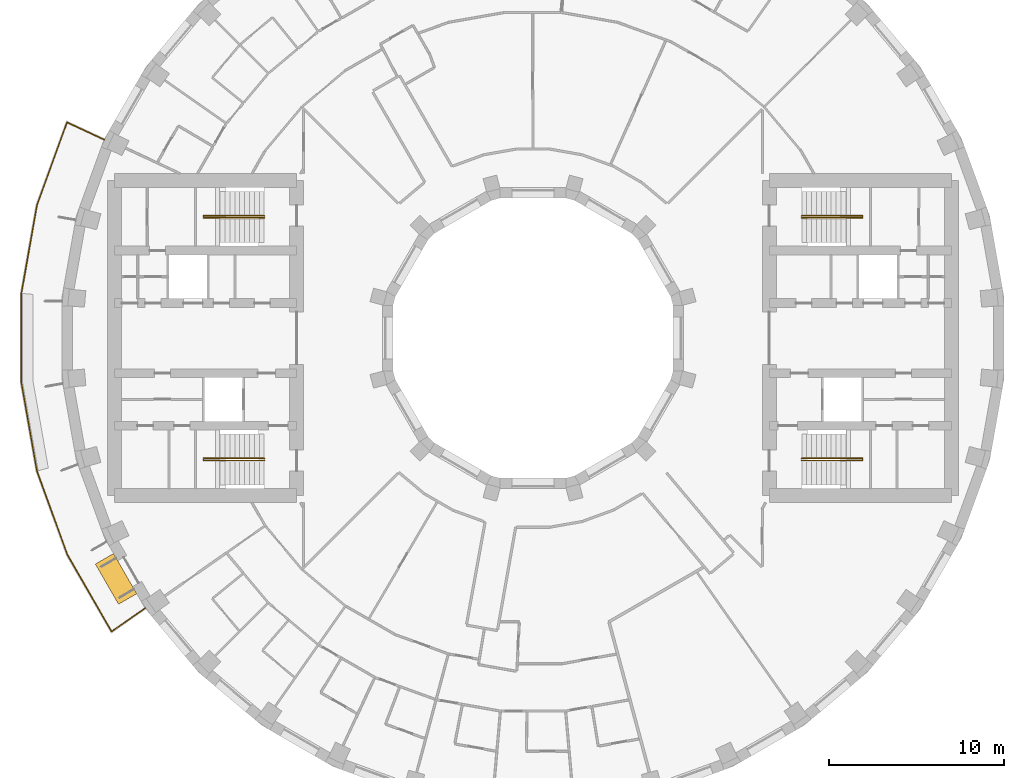
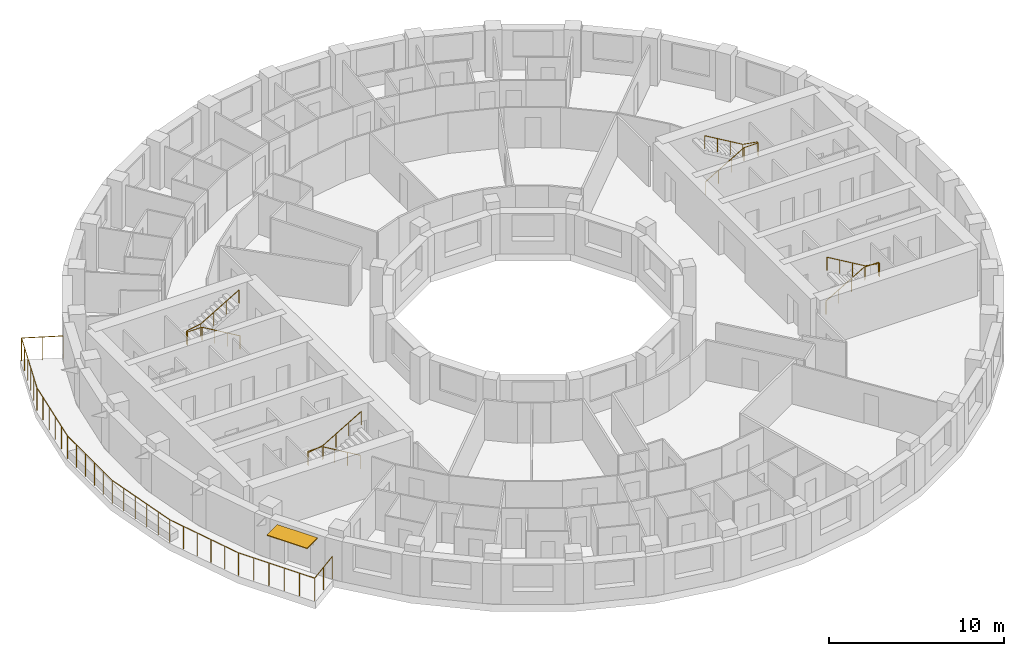
# One storey, part 12 of 12: 5 railings, 1 shading device.
"""IFC4 building model written with IfcOpenShell, lengths in metres."""

from ifc_helpers import new_model, si_unit, direction, frame, origin, origin_2d, place, context, subcontext, project, spatial, rectangle, circle, extrude, material, layer, layer_set, type_object, element, save


model = new_model("IFC4")

# Units and contexts
model_context = context("Model", 3, precision=1e-05, world=origin(), true_north=direction((0.0, 1.0)))
body_context = subcontext(model_context, "Body", "Model", "MODEL_VIEW")
ifc_project = project(units=[si_unit("LENGTHUNIT", "METRE"), si_unit("AREAUNIT", "SQUARE_METRE"), si_unit("VOLUMEUNIT", "CUBIC_METRE"), si_unit("PLANEANGLEUNIT", "RADIAN"), si_unit("MASSUNIT", "GRAM", prefix="KILO")], contexts=[model_context])

# Site, building, storey
site_placement = place(None, origin())
site = spatial("IfcSite", under=ifc_project, at=site_placement, CompositionType="ELEMENT")
building_placement = place(site_placement, origin())
building = spatial("IfcBuilding", under=site, at=building_placement, Name="Saqina Gate Tower", CompositionType="ELEMENT")
storey_placement = place(building_placement, frame((0.0, 0.0, 111.699951171875)))
storey = spatial("IfcBuildingStorey", under=building, at=storey_placement, Name="L31", CompositionType="ELEMENT", Elevation=111.699951171875)

# Shading device
ifc_material_1 = material(Name="Aluminium and fabric awning", Category="aluminium")
ifc_layer = layer(ifc_material_1, 0.050048828125)
ifc_layer_set = layer_set([ifc_layer], Name="AW-TERRACE")
shading_device_type = type_object("IfcShadingDeviceType", Name="AW-TERRACE", PredefinedType="AWNING", material=ifc_layer_set)
shading_device_placement = place(storey_placement, frame((-23.813232421875, -13.74853515625, 2.52490234375), z_axis=(0.0, 0.0, 1.0), x_axis=(0.5, -0.866025403784, 0.0)))
element("IfcShadingDevice", 1, at=shading_device_placement, inside=storey, type_object=shading_device_type, Name="Terrace awning L31 facet 21", PredefinedType="AWNING", context=body_context, shape_type="SweptSolid", body=[
    extrude(rectangle(XDim=2.647705078125, YDim=1.199951171875, at=origin_2d()), origin(), (0.0, 0.0, 1.0), 0.050048828125),
])

# Railings
ifc_material_2 = material(Name="Stainless steel", Category="steel")
railing_type_1 = type_object("IfcRailingType", Name="RL-TERRACE", PredefinedType="GUARDRAIL", material=ifc_material_2)
railing_1_placement = place(storey_placement, frame((-24.44970703125, 11.312744140625, 0.0)))
element("IfcRailing", 2, at=railing_1_placement, inside=storey, type_object=railing_type_1, Name="Terrace guard L31", PredefinedType="GUARDRAIL", context=body_context, shape_type="SweptSolid", body=[
    extrude(circle(Radius=0.02392578125, at=origin_2d()), frame((0.0, 0.0, 1.576171875), z_axis=(-0.906277108403, 0.422684046048, 0.0), x_axis=(-0.422684046048, -0.906277108403, 0.0)), (0.0, 0.0, 1.0), 2.388916015625),
    extrude(circle(Radius=0.02392578125, at=origin_2d()), frame((-2.1650390625, 1.009765625, 1.576171875), z_axis=(-0.340730186221, -0.940161124594, 0.0), x_axis=(0.940161124594, -0.340730186221, 0.0)), (0.0, 0.0, 1.0), 5.032958984375),
    extrude(circle(Radius=0.02392578125, at=origin_2d()), frame((-3.8798828125, -3.721923828125, 1.576171875), z_axis=(-0.173638220049, -0.984809508757, 0.0), x_axis=(0.984809508757, -0.173638220049, 0.0)), (0.0, 0.0, 1.0), 5.1123046875),
    extrude(circle(Radius=0.02392578125, at=origin_2d()), frame((-4.767578125, -8.756591796875, 1.576171875), z_axis=(0.0, -1.0, 0.0), x_axis=(1.0, 0.0, 0.0)), (0.0, 0.0, 1.0), 5.1123046875),
    extrude(circle(Radius=0.02392578125, at=origin_2d()), frame((-4.767578125, -13.868896484375, 1.576171875), z_axis=(0.173638220049, -0.984809508757, 0.0), x_axis=(0.984809508757, 0.173638220049, 0.0)), (0.0, 0.0, 1.0), 5.1123046875),
    extrude(circle(Radius=0.02392578125, at=origin_2d()), frame((-3.8798828125, -18.903564453125, 1.576171875), z_axis=(0.342011445423, -0.939695786518, 0.0), x_axis=(0.939695786518, 0.342011445423, 0.0)), (0.0, 0.0, 1.0), 5.112548828125),
    extrude(circle(Radius=0.02392578125, at=origin_2d()), frame((-2.13134765625, -23.707763671875, 1.576171875), z_axis=(0.498801033986, -0.866716521415, 0.0), x_axis=(0.866716521415, 0.498801033986, 0.0)), (0.0, 0.0, 1.0), 5.032470703125),
    extrude(circle(Radius=0.02392578125, at=origin_2d()), frame((0.37890625, -28.069580078125, 1.576171875), z_axis=(0.819193509898, 0.573517212768, 0.0), x_axis=(-0.573517212768, 0.819193509898, 0.0)), (0.0, 0.0, 1.0), 2.388916015625),
    extrude(circle(Radius=0.02099609375, at=origin_2d()), origin(), (0.0, 0.0, 1.0), 1.552001953125),
    extrude(circle(Radius=0.02099609375, at=origin_2d()), frame((-1.08251953125, 0.5048828125, 0.0)), (0.0, 0.0, 1.0), 1.552001953125),
    extrude(circle(Radius=0.02099609375, at=origin_2d()), frame((-2.1650390625, 1.009765625, 0.0)), (0.0, 0.0, 1.0), 1.552001953125),
    extrude(circle(Radius=0.02099609375, at=origin_2d()), frame((-2.508056640625, 0.0634765625, 0.0)), (0.0, 0.0, 1.0), 1.552001953125),
    extrude(circle(Radius=0.02099609375, at=origin_2d()), frame((-2.85107421875, -0.8828125, 0.0)), (0.0, 0.0, 1.0), 1.552001953125),
    extrude(circle(Radius=0.02099609375, at=origin_2d()), frame((-3.19384765625, -1.829345703125, 0.0)), (0.0, 0.0, 1.0), 1.552001953125),
    extrude(circle(Radius=0.02099609375, at=origin_2d()), frame((-3.536865234375, -2.775634765625, 0.0)), (0.0, 0.0, 1.0), 1.552001953125),
    extrude(circle(Radius=0.02099609375, at=origin_2d()), frame((-3.8798828125, -3.721923828125, 0.0)), (0.0, 0.0, 1.0), 1.552001953125),
    extrude(circle(Radius=0.02099609375, at=origin_2d()), frame((-4.057373046875, -4.728759765625, 0.0)), (0.0, 0.0, 1.0), 1.552001953125),
    extrude(circle(Radius=0.02099609375, at=origin_2d()), frame((-4.23486328125, -5.73583984375, 0.0)), (0.0, 0.0, 1.0), 1.552001953125),
    extrude(circle(Radius=0.02099609375, at=origin_2d()), frame((-4.41259765625, -6.74267578125, 0.0)), (0.0, 0.0, 1.0), 1.552001953125),
    extrude(circle(Radius=0.02099609375, at=origin_2d()), frame((-4.590087890625, -7.749755859375, 0.0)), (0.0, 0.0, 1.0), 1.552001953125),
    extrude(circle(Radius=0.02099609375, at=origin_2d()), frame((-4.767578125, -8.756591796875, 0.0)), (0.0, 0.0, 1.0), 1.552001953125),
    extrude(circle(Radius=0.02099609375, at=origin_2d()), frame((-4.767578125, -9.779052734375, 0.0)), (0.0, 0.0, 1.0), 1.552001953125),
    extrude(circle(Radius=0.02099609375, at=origin_2d()), frame((-4.767578125, -10.801513671875, 0.0)), (0.0, 0.0, 1.0), 1.552001953125),
    extrude(circle(Radius=0.02099609375, at=origin_2d()), frame((-4.767578125, -11.823974609375, 0.0)), (0.0, 0.0, 1.0), 1.552001953125),
    extrude(circle(Radius=0.02099609375, at=origin_2d()), frame((-4.767578125, -12.846435546875, 0.0)), (0.0, 0.0, 1.0), 1.552001953125),
    extrude(circle(Radius=0.02099609375, at=origin_2d()), frame((-4.767578125, -13.868896484375, 0.0)), (0.0, 0.0, 1.0), 1.552001953125),
    extrude(circle(Radius=0.02099609375, at=origin_2d()), frame((-4.590087890625, -14.875732421875, 0.0)), (0.0, 0.0, 1.0), 1.552001953125),
    extrude(circle(Radius=0.02099609375, at=origin_2d()), frame((-4.41259765625, -15.8828125, 0.0)), (0.0, 0.0, 1.0), 1.552001953125),
    extrude(circle(Radius=0.02099609375, at=origin_2d()), frame((-4.23486328125, -16.8896484375, 0.0)), (0.0, 0.0, 1.0), 1.552001953125),
    extrude(circle(Radius=0.02099609375, at=origin_2d()), frame((-4.057373046875, -17.896728515625, 0.0)), (0.0, 0.0, 1.0), 1.552001953125),
    extrude(circle(Radius=0.02099609375, at=origin_2d()), frame((-3.8798828125, -18.903564453125, 0.0)), (0.0, 0.0, 1.0), 1.552001953125),
    extrude(circle(Radius=0.02099609375, at=origin_2d()), frame((-3.5302734375, -19.864501953125, 0.0)), (0.0, 0.0, 1.0), 1.552001953125),
    extrude(circle(Radius=0.02099609375, at=origin_2d()), frame((-3.180419921875, -20.8251953125, 0.0)), (0.0, 0.0, 1.0), 1.552001953125),
    extrude(circle(Radius=0.02099609375, at=origin_2d()), frame((-2.830810546875, -21.7861328125, 0.0)), (0.0, 0.0, 1.0), 1.552001953125),
    extrude(circle(Radius=0.02099609375, at=origin_2d()), frame((-2.48095703125, -22.746826171875, 0.0)), (0.0, 0.0, 1.0), 1.552001953125),
    extrude(circle(Radius=0.02099609375, at=origin_2d()), frame((-2.13134765625, -23.707763671875, 0.0)), (0.0, 0.0, 1.0), 1.552001953125),
    extrude(circle(Radius=0.02099609375, at=origin_2d()), frame((-1.62939453125, -24.580078125, 0.0)), (0.0, 0.0, 1.0), 1.552001953125),
    extrude(circle(Radius=0.02099609375, at=origin_2d()), frame((-1.127197265625, -25.452392578125, 0.0)), (0.0, 0.0, 1.0), 1.552001953125),
    extrude(circle(Radius=0.02099609375, at=origin_2d()), frame((-0.625244140625, -26.324951171875, 0.0)), (0.0, 0.0, 1.0), 1.552001953125),
    extrude(circle(Radius=0.02099609375, at=origin_2d()), frame((-0.123046875, -27.197265625, 0.0)), (0.0, 0.0, 1.0), 1.552001953125),
    extrude(circle(Radius=0.02099609375, at=origin_2d()), frame((0.37890625, -28.069580078125, 0.0)), (0.0, 0.0, 1.0), 1.552001953125),
    extrude(circle(Radius=0.02099609375, at=origin_2d()), frame((1.357421875, -27.384521484375, 0.0)), (0.0, 0.0, 1.0), 1.552001953125),
    extrude(circle(Radius=0.02099609375, at=origin_2d()), frame((2.3359375, -26.699462890625, 0.0)), (0.0, 0.0, 1.0), 1.552001953125),
])
ifc_material_3 = material(Name="Stainless steel", Category="steel")
railing_type_2 = type_object("IfcRailingType", Name="STAIR HANDRAIL", PredefinedType="HANDRAIL", material=ifc_material_3)
railing_2_placement = place(storey_placement, frame((15.35009765625, 6.86669921875, 0.1650390625)))
element("IfcRailing", 3, at=railing_2_placement, inside=storey, type_object=railing_type_2, Name="EXIT STAIR 1 HANDRAIL", PredefinedType="HANDRAIL", context=body_context, shape_type="SweptSolid", body=[
    extrude(circle(Radius=0.02392578125, at=origin_2d()), frame((0.0, 0.0, 0.92578125), z_axis=(0.86152411907, 0.0, 0.507716645641), x_axis=(0.0, 1.0, 0.0)), (0.0, 0.0, 1.0), 2.925048828125),
    extrude(circle(Radius=0.02392578125, at=origin_2d()), frame((2.52001953125, 0.0, 2.4111328125), z_axis=(1.0, 0.0, 0.0), x_axis=(0.0, 1.0, 0.0)), (0.0, 0.0, 1.0), 0.949951171875),
    extrude(circle(Radius=0.02392578125, at=origin_2d()), frame((3.469970703125, 0.0, 2.4111328125), z_axis=(0.0, 1.0, 0.0), x_axis=(-1.0, 0.0, 0.0)), (0.0, 0.0, 1.0), 0.11669921875),
    extrude(circle(Radius=0.02392578125, at=origin_2d()), frame((3.469970703125, 0.11669921875, 2.4111328125), z_axis=(-0.985284148366, 0.0, 0.170924389655), x_axis=(0.0, -1.0, 0.0)), (0.0, 0.0, 1.0), 0.964111328125),
    extrude(circle(Radius=0.02392578125, at=origin_2d()), frame((2.52001953125, 0.11669921875, 2.57568359375), z_axis=(-0.86152411907, 0.0, 0.507716645641), x_axis=(0.0, -1.0, 0.0)), (0.0, 0.0, 1.0), 2.925048828125),
    extrude(circle(Radius=0.02099609375, at=origin_2d()), origin(), (0.0, 0.0, 1.0), 0.90185546875),
    extrude(circle(Radius=0.02099609375, at=origin_2d()), frame((0.840087890625, 0.0, 0.4951171875)), (0.0, 0.0, 1.0), 0.90185546875),
    extrude(circle(Radius=0.02099609375, at=origin_2d()), frame((1.679931640625, 0.0, 0.989990234375)), (0.0, 0.0, 1.0), 0.90185546875),
    extrude(circle(Radius=0.02099609375, at=origin_2d()), frame((2.52001953125, 0.0, 1.485107421875)), (0.0, 0.0, 1.0), 0.90185546875),
    extrude(circle(Radius=0.02099609375, at=origin_2d()), frame((3.469970703125, 0.0, 1.485107421875)), (0.0, 0.0, 1.0), 0.90185546875),
    extrude(circle(Radius=0.02099609375, at=origin_2d()), frame((3.469970703125, 0.11669921875, 1.485107421875)), (0.0, 0.0, 1.0), 0.90185546875),
    extrude(circle(Radius=0.02099609375, at=origin_2d()), frame((2.52001953125, 0.11669921875, 1.64990234375)), (0.0, 0.0, 1.0), 0.90185546875),
    extrude(circle(Radius=0.02099609375, at=origin_2d()), frame((1.679931640625, 0.11669921875, 2.14501953125)), (0.0, 0.0, 1.0), 0.90185546875),
    extrude(circle(Radius=0.02099609375, at=origin_2d()), frame((0.840087890625, 0.11669921875, 2.639892578125)), (0.0, 0.0, 1.0), 0.90185546875),
    extrude(circle(Radius=0.02099609375, at=origin_2d()), frame((0.0, 0.11669921875, 3.135009765625)), (0.0, 0.0, 1.0), 0.90185546875),
])
railing_3_placement = place(storey_placement, frame((15.35009765625, -6.86669921875, 0.1650390625)))
element("IfcRailing", 4, at=railing_3_placement, inside=storey, type_object=railing_type_2, Name="EXIT STAIR 2 HANDRAIL", PredefinedType="HANDRAIL", context=body_context, shape_type="SweptSolid", body=[
    extrude(circle(Radius=0.02392578125, at=origin_2d()), frame((0.0, 0.0, 0.92578125), z_axis=(0.86152411907, 0.0, 0.507716645641), x_axis=(0.0, 1.0, 0.0)), (0.0, 0.0, 1.0), 2.925048828125),
    extrude(circle(Radius=0.02392578125, at=origin_2d()), frame((2.52001953125, 0.0, 2.4111328125), z_axis=(1.0, 0.0, 0.0), x_axis=(0.0, 1.0, 0.0)), (0.0, 0.0, 1.0), 0.949951171875),
    extrude(circle(Radius=0.02392578125, at=origin_2d()), frame((3.469970703125, 0.0, 2.4111328125), z_axis=(0.0, -1.0, 0.0), x_axis=(1.0, 0.0, 0.0)), (0.0, 0.0, 1.0), 0.11669921875),
    extrude(circle(Radius=0.02392578125, at=origin_2d()), frame((3.469970703125, -0.11669921875, 2.4111328125), z_axis=(-0.985284148366, 0.0, 0.170924389655), x_axis=(0.0, -1.0, 0.0)), (0.0, 0.0, 1.0), 0.964111328125),
    extrude(circle(Radius=0.02392578125, at=origin_2d()), frame((2.52001953125, -0.11669921875, 2.57568359375), z_axis=(-0.86152411907, 0.0, 0.507716645641), x_axis=(0.0, -1.0, 0.0)), (0.0, 0.0, 1.0), 2.925048828125),
    extrude(circle(Radius=0.02099609375, at=origin_2d()), origin(), (0.0, 0.0, 1.0), 0.90185546875),
    extrude(circle(Radius=0.02099609375, at=origin_2d()), frame((0.840087890625, 0.0, 0.4951171875)), (0.0, 0.0, 1.0), 0.90185546875),
    extrude(circle(Radius=0.02099609375, at=origin_2d()), frame((1.679931640625, 0.0, 0.989990234375)), (0.0, 0.0, 1.0), 0.90185546875),
    extrude(circle(Radius=0.02099609375, at=origin_2d()), frame((2.52001953125, 0.0, 1.485107421875)), (0.0, 0.0, 1.0), 0.90185546875),
    extrude(circle(Radius=0.02099609375, at=origin_2d()), frame((3.469970703125, 0.0, 1.485107421875)), (0.0, 0.0, 1.0), 0.90185546875),
    extrude(circle(Radius=0.02099609375, at=origin_2d()), frame((3.469970703125, -0.11669921875, 1.485107421875)), (0.0, 0.0, 1.0), 0.90185546875),
    extrude(circle(Radius=0.02099609375, at=origin_2d()), frame((2.52001953125, -0.11669921875, 1.64990234375)), (0.0, 0.0, 1.0), 0.90185546875),
    extrude(circle(Radius=0.02099609375, at=origin_2d()), frame((1.679931640625, -0.11669921875, 2.14501953125)), (0.0, 0.0, 1.0), 0.90185546875),
    extrude(circle(Radius=0.02099609375, at=origin_2d()), frame((0.840087890625, -0.11669921875, 2.639892578125)), (0.0, 0.0, 1.0), 0.90185546875),
    extrude(circle(Radius=0.02099609375, at=origin_2d()), frame((0.0, -0.11669921875, 3.135009765625)), (0.0, 0.0, 1.0), 0.90185546875),
])
railing_4_placement = place(storey_placement, frame((-15.35009765625, 6.86669921875, 0.1650390625)))
element("IfcRailing", 5, at=railing_4_placement, inside=storey, type_object=railing_type_2, Name="EXIT STAIR 3 HANDRAIL", PredefinedType="HANDRAIL", context=body_context, shape_type="SweptSolid", body=[
    extrude(circle(Radius=0.02392578125, at=origin_2d()), frame((0.0, 0.0, 0.92578125), z_axis=(-0.86152411907, 0.0, 0.507716645641), x_axis=(0.0, -1.0, 0.0)), (0.0, 0.0, 1.0), 2.925048828125),
    extrude(circle(Radius=0.02392578125, at=origin_2d()), frame((-2.52001953125, 0.0, 2.4111328125), z_axis=(-1.0, 0.0, 0.0), x_axis=(0.0, -1.0, 0.0)), (0.0, 0.0, 1.0), 0.949951171875),
    extrude(circle(Radius=0.02392578125, at=origin_2d()), frame((-3.469970703125, 0.0, 2.4111328125), z_axis=(0.0, 1.0, 0.0), x_axis=(-1.0, 0.0, 0.0)), (0.0, 0.0, 1.0), 0.11669921875),
    extrude(circle(Radius=0.02392578125, at=origin_2d()), frame((-3.469970703125, 0.11669921875, 2.4111328125), z_axis=(0.985284148366, 0.0, 0.170924389655), x_axis=(0.0, 1.0, 0.0)), (0.0, 0.0, 1.0), 0.964111328125),
    extrude(circle(Radius=0.02392578125, at=origin_2d()), frame((-2.52001953125, 0.11669921875, 2.57568359375), z_axis=(0.86152411907, 0.0, 0.507716645641), x_axis=(0.0, 1.0, 0.0)), (0.0, 0.0, 1.0), 2.925048828125),
    extrude(circle(Radius=0.02099609375, at=origin_2d()), origin(), (0.0, 0.0, 1.0), 0.90185546875),
    extrude(circle(Radius=0.02099609375, at=origin_2d()), frame((-0.840087890625, 0.0, 0.4951171875)), (0.0, 0.0, 1.0), 0.90185546875),
    extrude(circle(Radius=0.02099609375, at=origin_2d()), frame((-1.679931640625, 0.0, 0.989990234375)), (0.0, 0.0, 1.0), 0.90185546875),
    extrude(circle(Radius=0.02099609375, at=origin_2d()), frame((-2.52001953125, 0.0, 1.485107421875)), (0.0, 0.0, 1.0), 0.90185546875),
    extrude(circle(Radius=0.02099609375, at=origin_2d()), frame((-3.469970703125, 0.0, 1.485107421875)), (0.0, 0.0, 1.0), 0.90185546875),
    extrude(circle(Radius=0.02099609375, at=origin_2d()), frame((-3.469970703125, 0.11669921875, 1.485107421875)), (0.0, 0.0, 1.0), 0.90185546875),
    extrude(circle(Radius=0.02099609375, at=origin_2d()), frame((-2.52001953125, 0.11669921875, 1.64990234375)), (0.0, 0.0, 1.0), 0.90185546875),
    extrude(circle(Radius=0.02099609375, at=origin_2d()), frame((-1.679931640625, 0.11669921875, 2.14501953125)), (0.0, 0.0, 1.0), 0.90185546875),
    extrude(circle(Radius=0.02099609375, at=origin_2d()), frame((-0.840087890625, 0.11669921875, 2.639892578125)), (0.0, 0.0, 1.0), 0.90185546875),
    extrude(circle(Radius=0.02099609375, at=origin_2d()), frame((0.0, 0.11669921875, 3.135009765625)), (0.0, 0.0, 1.0), 0.90185546875),
])
railing_5_placement = place(storey_placement, frame((-15.35009765625, -6.86669921875, 0.1650390625)))
element("IfcRailing", 6, at=railing_5_placement, inside=storey, type_object=railing_type_2, Name="EXIT STAIR 4 HANDRAIL", PredefinedType="HANDRAIL", context=body_context, shape_type="SweptSolid", body=[
    extrude(circle(Radius=0.02392578125, at=origin_2d()), frame((0.0, 0.0, 0.92578125), z_axis=(-0.86152411907, 0.0, 0.507716645641), x_axis=(0.0, -1.0, 0.0)), (0.0, 0.0, 1.0), 2.925048828125),
    extrude(circle(Radius=0.02392578125, at=origin_2d()), frame((-2.52001953125, 0.0, 2.4111328125), z_axis=(-1.0, 0.0, 0.0), x_axis=(0.0, -1.0, 0.0)), (0.0, 0.0, 1.0), 0.949951171875),
    extrude(circle(Radius=0.02392578125, at=origin_2d()), frame((-3.469970703125, 0.0, 2.4111328125), z_axis=(0.0, -1.0, 0.0), x_axis=(1.0, 0.0, 0.0)), (0.0, 0.0, 1.0), 0.11669921875),
    extrude(circle(Radius=0.02392578125, at=origin_2d()), frame((-3.469970703125, -0.11669921875, 2.4111328125), z_axis=(0.985284148366, 0.0, 0.170924389655), x_axis=(0.0, 1.0, 0.0)), (0.0, 0.0, 1.0), 0.964111328125),
    extrude(circle(Radius=0.02392578125, at=origin_2d()), frame((-2.52001953125, -0.11669921875, 2.57568359375), z_axis=(0.86152411907, 0.0, 0.507716645641), x_axis=(0.0, 1.0, 0.0)), (0.0, 0.0, 1.0), 2.925048828125),
    extrude(circle(Radius=0.02099609375, at=origin_2d()), origin(), (0.0, 0.0, 1.0), 0.90185546875),
    extrude(circle(Radius=0.02099609375, at=origin_2d()), frame((-0.840087890625, 0.0, 0.4951171875)), (0.0, 0.0, 1.0), 0.90185546875),
    extrude(circle(Radius=0.02099609375, at=origin_2d()), frame((-1.679931640625, 0.0, 0.989990234375)), (0.0, 0.0, 1.0), 0.90185546875),
    extrude(circle(Radius=0.02099609375, at=origin_2d()), frame((-2.52001953125, 0.0, 1.485107421875)), (0.0, 0.0, 1.0), 0.90185546875),
    extrude(circle(Radius=0.02099609375, at=origin_2d()), frame((-3.469970703125, 0.0, 1.485107421875)), (0.0, 0.0, 1.0), 0.90185546875),
    extrude(circle(Radius=0.02099609375, at=origin_2d()), frame((-3.469970703125, -0.11669921875, 1.485107421875)), (0.0, 0.0, 1.0), 0.90185546875),
    extrude(circle(Radius=0.02099609375, at=origin_2d()), frame((-2.52001953125, -0.11669921875, 1.64990234375)), (0.0, 0.0, 1.0), 0.90185546875),
    extrude(circle(Radius=0.02099609375, at=origin_2d()), frame((-1.679931640625, -0.11669921875, 2.14501953125)), (0.0, 0.0, 1.0), 0.90185546875),
    extrude(circle(Radius=0.02099609375, at=origin_2d()), frame((-0.840087890625, -0.11669921875, 2.639892578125)), (0.0, 0.0, 1.0), 0.90185546875),
    extrude(circle(Radius=0.02099609375, at=origin_2d()), frame((0.0, -0.11669921875, 3.135009765625)), (0.0, 0.0, 1.0), 0.90185546875),
])

save(model, "model.ifc")
